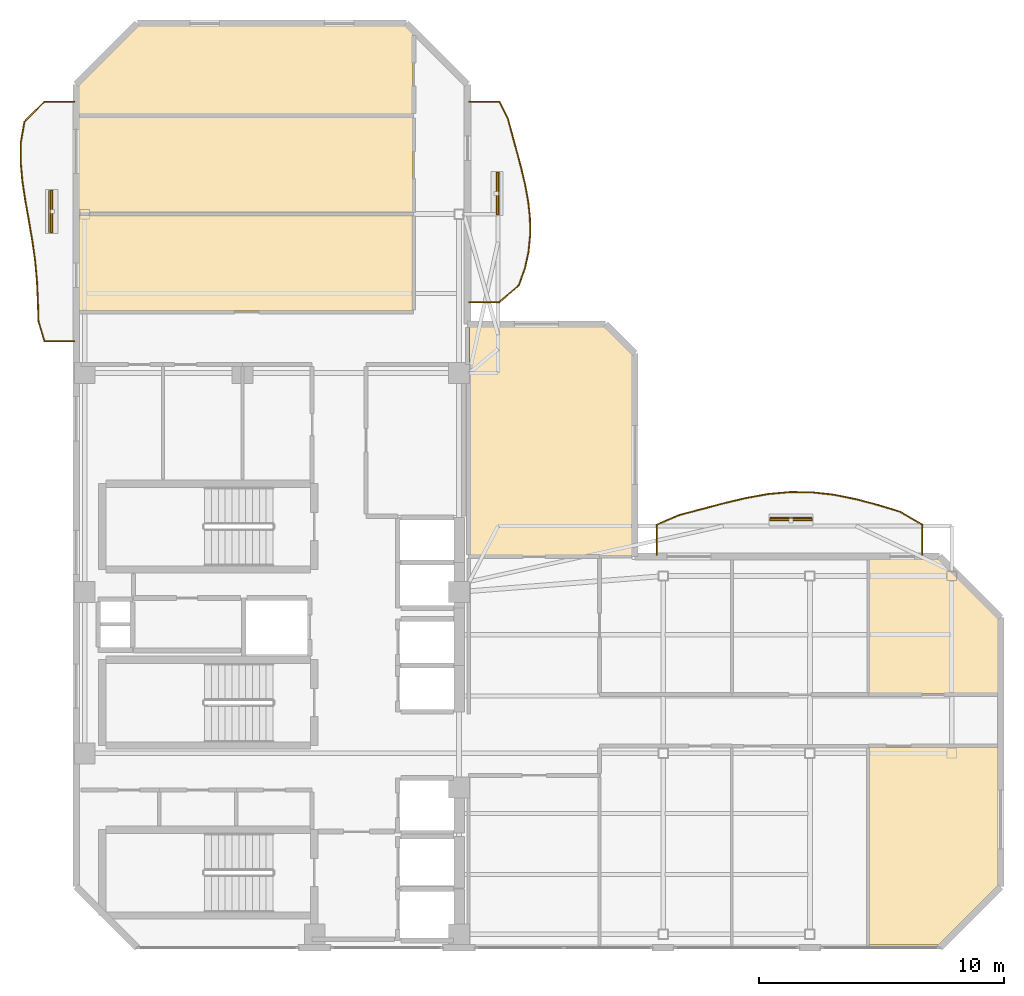
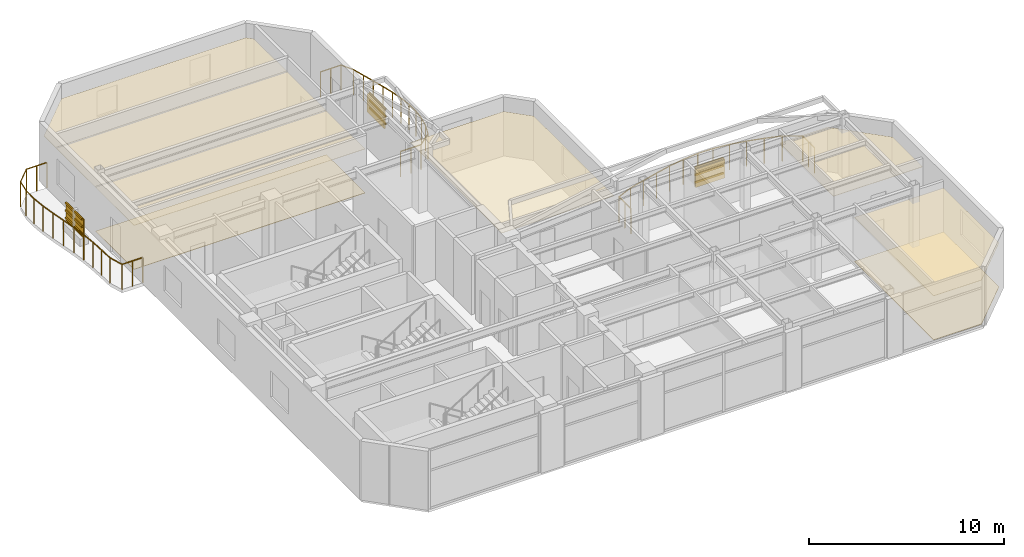
# One storey, part 14 of 14: 12 shading devices, 8 coverings, 3 railings.
"""IFC4 building model written with IfcOpenShell, lengths in metres."""

from ifc_helpers import new_model, si_unit, direction, frame, origin, origin_2d, place, context, subcontext, project, spatial, polyline, rectangle, outline, extrude, material, layer, layer_set, material_profile, profile_set, type_object, element, save


model = new_model("IFC4")

# Units and contexts
model_context = context("Model", 3, precision=1e-05, world=origin(), true_north=direction((0.0, 1.0)))
body_context = subcontext(model_context, "Body", "Model", "MODEL_VIEW")
ifc_project = project(units=[si_unit("LENGTHUNIT", "METRE"), si_unit("AREAUNIT", "SQUARE_METRE"), si_unit("VOLUMEUNIT", "CUBIC_METRE"), si_unit("PLANEANGLEUNIT", "RADIAN"), si_unit("MASSUNIT", "GRAM", prefix="KILO")], contexts=[model_context])

# Site, building, storey
site_placement = place(None, origin())
site = spatial("IfcSite", under=ifc_project, at=site_placement, CompositionType="ELEMENT")
building_placement = place(site_placement, origin())
building = spatial("IfcBuilding", under=site, at=building_placement, Name="Mawjaban Terraces University", CompositionType="ELEMENT")
storey_placement = place(building_placement, frame((0.0, 0.0, 256.0)))
storey = spatial("IfcBuildingStorey", under=building, at=storey_placement, Name="L62", CompositionType="ELEMENT", Elevation=256.0)

# Coverings
ifc_material_1 = material(Name="Acoustic mineral fibre ceiling tile", Category="masonry")
ifc_layer_1 = layer(ifc_material_1, 0.02001953125)
ifc_layer_set_1 = layer_set([ifc_layer_1], Name="Acoustic mineral fibre ceiling tile")
covering_type_1 = type_object("IfcCoveringType", Name="AcousticMineralCeiling_20", PredefinedType="CEILING", material=ifc_layer_set_1)
covering_1_placement = place(storey_placement, frame((0.0, 0.0, 2.75)))
element("IfcCovering", 1, at=covering_1_placement, inside=storey, type_object=covering_type_1, Name="L62 Classroom 6 Acoustic Ceiling", PredefinedType="CEILING", context=body_context, shape_type="SweptSolid", body=[
    extrude(outline(polyline([(54.41796875, 0.114990234375), (57.2529296875, 0.114990234375), (59.68505859375, 2.547119140625), (59.68505859375, 8.219970703125), (54.41796875, 8.219970703125), (54.41796875, 0.114990234375)])), origin(), (0.0, 0.0, 1.0), 0.02001953125),
])
covering_2_placement = place(storey_placement, frame((0.0, 0.0, 2.75)))
element("IfcCovering", 2, at=covering_2_placement, inside=storey, type_object=covering_type_1, Name="L62 Faculty Office 7 Acoustic Ceiling", PredefinedType="CEILING", context=body_context, shape_type="SweptSolid", body=[
    extrude(outline(polyline([(59.68505859375, 10.3798828125), (59.68505859375, 13.452880859375), (57.2529296875, 15.885009765625), (54.41796875, 15.885009765625), (54.41796875, 10.3798828125), (59.68505859375, 10.3798828125)])), origin(), (0.0, 0.0, 1.0), 0.02001953125),
])
covering_3_placement = place(storey_placement, frame((0.0, 0.0, 2.75)))
element("IfcCovering", 3, at=covering_3_placement, inside=storey, type_object=covering_type_1, Name="L62 Classroom 8 Acoustic Ceiling", PredefinedType="CEILING", context=body_context, shape_type="SweptSolid", body=[
    extrude(outline(polyline([(22.114990234375, 29.969970703125), (22.114990234375, 26.030029296875), (35.77001953125, 26.030029296875), (35.77001953125, 29.969970703125), (22.114990234375, 29.969970703125)])), origin(), (0.0, 0.0, 1.0), 0.02001953125),
])
covering_4_placement = place(storey_placement, frame((0.0, 0.0, 2.75)))
element("IfcCovering", 4, at=covering_4_placement, inside=storey, type_object=covering_type_1, Name="L62 Computational Laboratory 9 Acoustic Ceiling", PredefinedType="CEILING", context=body_context, shape_type="SweptSolid", body=[
    extrude(outline(polyline([(22.114990234375, 33.993896484375), (22.114990234375, 30.030029296875), (35.77001953125, 30.030029296875), (35.77001953125, 33.993896484375), (22.114990234375, 33.993896484375)])), origin(), (0.0, 0.0, 1.0), 0.02001953125),
])
covering_5_placement = place(storey_placement, frame((0.0, 0.0, 2.75)))
element("IfcCovering", 5, at=covering_5_placement, inside=storey, type_object=covering_type_1, Name="L62 Design Studio 10 Acoustic Ceiling", PredefinedType="CEILING", context=body_context, shape_type="SweptSolid", body=[
    extrude(outline(polyline([(35.77001953125, 37.367919921875), (35.452880859375, 37.68505859375), (24.547119140625, 37.68505859375), (22.114990234375, 35.2529296875), (22.114990234375, 34.053955078125), (35.77001953125, 34.053955078125), (35.77001953125, 37.367919921875)])), origin(), (0.0, 0.0, 1.0), 0.02001953125),
])
covering_6_placement = place(storey_placement, frame((0.0, 0.0, 2.75)))
element("IfcCovering", 6, at=covering_6_placement, inside=storey, type_object=covering_type_1, Name="L62 Terrace Collaborative Study Room Acoustic Ceiling", PredefinedType="CEILING", context=body_context, shape_type="SweptSolid", body=[
    extrude(outline(polyline([(44.72509765625, 16.030029296875), (44.72509765625, 24.2529296875), (43.593017578125, 25.385009765625), (38.080078125, 25.385009765625), (38.080078125, 16.030029296875), (44.72509765625, 16.030029296875)])), origin(), (0.0, 0.0, 1.0), 0.02001953125),
])

# Railings
ifc_material_2 = material(Name="Galvanised powder-coated steel S355", Category="steel")
railing_type = type_object("IfcRailingType", Name="BalconyBalustrade_1600", PredefinedType="BALUSTRADE", material=ifc_material_2)
railing_1_placement = place(storey_placement, frame((21.919921875, 24.800048828125, 0.0)))
element("IfcRailing", 7, at=railing_1_placement, inside=storey, type_object=railing_type, Name="L62 Balcony Guardrail west", PredefinedType="BALUSTRADE", context=body_context, shape_type="SweptSolid", body=[
    extrude(rectangle(XDim=0.048095703125, YDim=0.048095703125, at=origin_2d()), frame((0.0, 0.0, 1.576171875), z_axis=(-1.0, 0.0, 0.0), x_axis=(0.0, -1.0, 0.0)), (0.0, 0.0, 1.0), 1.219970703125),
    extrude(rectangle(XDim=0.048095703125, YDim=0.048095703125, at=origin_2d()), frame((-1.219970703125, 0.0, 1.576171875), z_axis=(-0.286086544762, 0.958203782557, 0.0), x_axis=(-0.958203782557, -0.286086544762, 0.0)), (0.0, 0.0, 1.0), 0.8525390625),
    extrude(rectangle(XDim=0.048095703125, YDim=0.048095703125, at=origin_2d()), frame((-1.4638671875, 0.81689453125, 1.576171875), z_axis=(-0.030796035307, 0.99952568962, 0.0), x_axis=(-0.99952568962, -0.030796035307, 0.0)), (0.0, 0.0, 1.0), 0.816650390625),
    extrude(rectangle(XDim=0.048095703125, YDim=0.048095703125, at=origin_2d()), frame((-1.489013671875, 1.633056640625, 1.576171875), z_axis=(-0.045082627759, 0.998983261459, 0.0), x_axis=(-0.998983261459, -0.045082627759, 0.0)), (0.0, 0.0, 1.0), 0.817626953125),
    extrude(rectangle(XDim=0.048095703125, YDim=0.048095703125, at=origin_2d()), frame((-1.52587890625, 2.449951171875, 1.576171875), z_axis=(-0.089005768693, 0.996031110528, 0.0), x_axis=(-0.996031110528, -0.089005768693, 0.0)), (0.0, 0.0, 1.0), 0.820068359375),
    extrude(rectangle(XDim=0.048095703125, YDim=0.048095703125, at=origin_2d()), frame((-1.598876953125, 3.266845703125, 1.576171875), z_axis=(-0.137188840592, 0.990544911661, 0.0), x_axis=(-0.990544911661, -0.137188840592, 0.0)), (0.0, 0.0, 1.0), 0.823974609375),
    extrude(rectangle(XDim=0.048095703125, YDim=0.048095703125, at=origin_2d()), frame((-1.7119140625, 4.0830078125, 1.576171875), z_axis=(-0.168792112751, 0.985651674109, 0.0), x_axis=(-0.985651674109, -0.168792112751, 0.0)), (0.0, 0.0, 1.0), 0.828857421875),
    extrude(rectangle(XDim=0.048095703125, YDim=0.048095703125, at=origin_2d()), frame((-1.851806640625, 4.89990234375, 1.576171875), z_axis=(-0.175882254045, 0.984411211188, 0.0), x_axis=(-0.984411211188, -0.175882254045, 0.0)), (0.0, 0.0, 1.0), 0.830078125),
    extrude(rectangle(XDim=0.048095703125, YDim=0.048095703125, at=origin_2d()), frame((-1.997802734375, 5.717041015625, 1.576171875), z_axis=(-0.150278574394, 0.988643692175, 0.0), x_axis=(-0.988643692175, -0.150278574394, 0.0)), (0.0, 0.0, 1.0), 0.8251953125),
    extrude(rectangle(XDim=0.048095703125, YDim=0.048095703125, at=origin_2d()), frame((-2.121826171875, 6.532958984375, 1.576171875), z_axis=(-0.087824301942, 0.996135980672, 0.0), x_axis=(-0.996135980672, -0.087824301942, 0.0)), (0.0, 0.0, 1.0), 0.820068359375),
    extrude(rectangle(XDim=0.048095703125, YDim=0.048095703125, at=origin_2d()), frame((-2.19384765625, 7.349853515625, 1.576171875), z_axis=(0.015833091241, 0.999874648754, 0.0), x_axis=(-0.999874648754, 0.015833091241, 0.0)), (0.0, 0.0, 1.0), 0.817138671875),
    extrude(rectangle(XDim=0.048095703125, YDim=0.048095703125, at=origin_2d()), frame((-2.180908203125, 8.1669921875, 1.576171875), z_axis=(0.174995257373, 0.984569276332, 0.0), x_axis=(-0.984569276332, 0.174995257373, 0.0)), (0.0, 0.0, 1.0), 0.82861328125),
    extrude(rectangle(XDim=0.048095703125, YDim=0.048095703125, at=origin_2d()), frame((-2.035888671875, 8.98291015625, 1.576171875), z_axis=(0.706578024374, 0.707635142903, 0.0), x_axis=(-0.707635142903, 0.706578024374, 0.0)), (0.0, 0.0, 1.0), 1.15478515625),
    extrude(rectangle(XDim=0.048095703125, YDim=0.048095703125, at=origin_2d()), frame((-1.219970703125, 9.800048828125, 1.576171875), z_axis=(1.0, 0.0, 0.0), x_axis=(0.0, 1.0, 0.0)), (0.0, 0.0, 1.0), 1.219970703125),
    extrude(rectangle(XDim=0.0419921875, YDim=0.0419921875, at=origin_2d()), origin(), (0.0, 0.0, 1.0), 1.552001953125),
    extrude(rectangle(XDim=0.0419921875, YDim=0.0419921875, at=origin_2d()), frame((-0.60986328125, 0.0, 0.0)), (0.0, 0.0, 1.0), 1.552001953125),
    extrude(rectangle(XDim=0.0419921875, YDim=0.0419921875, at=origin_2d()), frame((-1.219970703125, 0.0, 0.0)), (0.0, 0.0, 1.0), 1.552001953125),
    extrude(rectangle(XDim=0.0419921875, YDim=0.0419921875, at=origin_2d()), frame((-1.4638671875, 0.81689453125, 0.0)), (0.0, 0.0, 1.0), 1.552001953125),
    extrude(rectangle(XDim=0.0419921875, YDim=0.0419921875, at=origin_2d()), frame((-1.489013671875, 1.633056640625, 0.0)), (0.0, 0.0, 1.0), 1.552001953125),
    extrude(rectangle(XDim=0.0419921875, YDim=0.0419921875, at=origin_2d()), frame((-1.52587890625, 2.449951171875, 0.0)), (0.0, 0.0, 1.0), 1.552001953125),
    extrude(rectangle(XDim=0.0419921875, YDim=0.0419921875, at=origin_2d()), frame((-1.598876953125, 3.266845703125, 0.0)), (0.0, 0.0, 1.0), 1.552001953125),
    extrude(rectangle(XDim=0.0419921875, YDim=0.0419921875, at=origin_2d()), frame((-1.7119140625, 4.0830078125, 0.0)), (0.0, 0.0, 1.0), 1.552001953125),
    extrude(rectangle(XDim=0.0419921875, YDim=0.0419921875, at=origin_2d()), frame((-1.851806640625, 4.89990234375, 0.0)), (0.0, 0.0, 1.0), 1.552001953125),
    extrude(rectangle(XDim=0.0419921875, YDim=0.0419921875, at=origin_2d()), frame((-1.997802734375, 5.717041015625, 0.0)), (0.0, 0.0, 1.0), 1.552001953125),
    extrude(rectangle(XDim=0.0419921875, YDim=0.0419921875, at=origin_2d()), frame((-2.121826171875, 6.532958984375, 0.0)), (0.0, 0.0, 1.0), 1.552001953125),
    extrude(rectangle(XDim=0.0419921875, YDim=0.0419921875, at=origin_2d()), frame((-2.19384765625, 7.349853515625, 0.0)), (0.0, 0.0, 1.0), 1.552001953125),
    extrude(rectangle(XDim=0.0419921875, YDim=0.0419921875, at=origin_2d()), frame((-2.180908203125, 8.1669921875, 0.0)), (0.0, 0.0, 1.0), 1.552001953125),
    extrude(rectangle(XDim=0.0419921875, YDim=0.0419921875, at=origin_2d()), frame((-2.035888671875, 8.98291015625, 0.0)), (0.0, 0.0, 1.0), 1.552001953125),
    extrude(rectangle(XDim=0.0419921875, YDim=0.0419921875, at=origin_2d()), frame((-1.219970703125, 9.800048828125, 0.0)), (0.0, 0.0, 1.0), 1.552001953125),
    extrude(rectangle(XDim=0.0419921875, YDim=0.0419921875, at=origin_2d()), frame((-0.60986328125, 9.800048828125, 0.0)), (0.0, 0.0, 1.0), 1.552001953125),
    extrude(rectangle(XDim=0.0419921875, YDim=0.0419921875, at=origin_2d()), frame((0.0, 9.800048828125, 0.0)), (0.0, 0.0, 1.0), 1.552001953125),
])
railing_2_placement = place(storey_placement, frame((45.739990234375, 16.080078125, 0.0)))
element("IfcRailing", 8, at=railing_2_placement, inside=storey, type_object=railing_type, Name="L62 Balcony Guardrail inner_north", PredefinedType="BALUSTRADE", context=body_context, shape_type="SweptSolid", body=[
    extrude(rectangle(XDim=0.048095703125, YDim=0.048095703125, at=origin_2d()), frame((0.0, 0.0, 1.576171875), z_axis=(0.0, 1.0, 0.0), x_axis=(-1.0, 0.0, 0.0)), (0.0, 0.0, 1.0), 1.219970703125),
    extrude(rectangle(XDim=0.048095703125, YDim=0.048095703125, at=origin_2d()), frame((0.0, 1.219970703125, 1.576171875), z_axis=(0.916865462782, 0.399196346623, 0.0), x_axis=(-0.399196346623, 0.916865462782, 0.0)), (0.0, 0.0, 1.0), 0.987060546875),
    extrude(rectangle(XDim=0.048095703125, YDim=0.048095703125, at=origin_2d()), frame((0.905029296875, 1.614013671875, 1.576171875), z_axis=(0.967172473665, 0.254120849568, 0.0), x_axis=(-0.254120849568, 0.967172473665, 0.0)), (0.0, 0.0, 1.0), 0.935791015625),
    extrude(rectangle(XDim=0.048095703125, YDim=0.048095703125, at=origin_2d()), frame((1.81005859375, 1.851806640625, 1.576171875), z_axis=(0.966528578095, 0.25655897514, 0.0), x_axis=(-0.25655897514, 0.966528578095, 0.0)), (0.0, 0.0, 1.0), 0.936279296875),
    extrude(rectangle(XDim=0.048095703125, YDim=0.048095703125, at=origin_2d()), frame((2.715087890625, 2.092041015625, 1.576171875), z_axis=(0.972724505528, 0.23196343752, 0.0), x_axis=(-0.23196343752, 0.972724505528, 0.0)), (0.0, 0.0, 1.0), 0.930419921875),
    extrude(rectangle(XDim=0.048095703125, YDim=0.048095703125, at=origin_2d()), frame((3.6201171875, 2.307861328125, 1.576171875), z_axis=(0.983954760148, 0.178418132439, 0.0), x_axis=(-0.178418132439, 0.983954760148, 0.0)), (0.0, 0.0, 1.0), 0.91943359375),
    extrude(rectangle(XDim=0.048095703125, YDim=0.048095703125, at=origin_2d()), frame((4.52490234375, 2.471923828125, 1.576171875), z_axis=(0.995622518279, 0.093465507516, 0.0), x_axis=(-0.093465507516, 0.995622518279, 0.0)), (0.0, 0.0, 1.0), 0.908935546875),
    extrude(rectangle(XDim=0.048095703125, YDim=0.048095703125, at=origin_2d()), frame((5.429931640625, 2.556884765625, 1.576171875), z_axis=(0.999960378866, -0.008901724441, 0.0), x_axis=(0.008901724441, 0.999960378866, 0.0)), (0.0, 0.0, 1.0), 0.905029296875),
    extrude(rectangle(XDim=0.048095703125, YDim=0.048095703125, at=origin_2d()), frame((6.3349609375, 2.548828125, 1.576171875), z_axis=(0.99385099585, -0.110725778604, 0.0), x_axis=(0.110725778604, 0.99385099585, 0.0)), (0.0, 0.0, 1.0), 0.91064453125),
    extrude(rectangle(XDim=0.048095703125, YDim=0.048095703125, at=origin_2d()), frame((7.239990234375, 2.447998046875, 1.576171875), z_axis=(0.980346034352, -0.197285713954, 0.0), x_axis=(0.197285713954, 0.980346034352, 0.0)), (0.0, 0.0, 1.0), 0.923095703125),
    extrude(rectangle(XDim=0.048095703125, YDim=0.048095703125, at=origin_2d()), frame((8.14501953125, 2.265869140625, 1.576171875), z_axis=(0.966851187209, -0.255340521251, 0.0), x_axis=(0.255340521251, 0.966851187209, 0.0)), (0.0, 0.0, 1.0), 0.93603515625),
    extrude(rectangle(XDim=0.048095703125, YDim=0.048095703125, at=origin_2d()), frame((9.050048828125, 2.02685546875, 1.576171875), z_axis=(0.956545661828, -0.291582572934, 0.0), x_axis=(0.291582572934, 0.956545661828, 0.0)), (0.0, 0.0, 1.0), 0.946044921875),
    extrude(rectangle(XDim=0.048095703125, YDim=0.048095703125, at=origin_2d()), frame((9.955078125, 1.7509765625, 1.576171875), z_axis=(0.862501887285, -0.506053845386, 0.0), x_axis=(0.506053845386, 0.862501887285, 0.0)), (0.0, 0.0, 1.0), 1.04931640625),
    extrude(rectangle(XDim=0.048095703125, YDim=0.048095703125, at=origin_2d()), frame((10.860107421875, 1.219970703125, 1.576171875), z_axis=(0.0, -1.0, 0.0), x_axis=(1.0, 0.0, 0.0)), (0.0, 0.0, 1.0), 1.219970703125),
    extrude(rectangle(XDim=0.0419921875, YDim=0.0419921875, at=origin_2d()), origin(), (0.0, 0.0, 1.0), 1.552001953125),
    extrude(rectangle(XDim=0.0419921875, YDim=0.0419921875, at=origin_2d()), frame((0.0, 0.60986328125, 0.0)), (0.0, 0.0, 1.0), 1.552001953125),
    extrude(rectangle(XDim=0.0419921875, YDim=0.0419921875, at=origin_2d()), frame((0.0, 1.219970703125, 0.0)), (0.0, 0.0, 1.0), 1.552001953125),
    extrude(rectangle(XDim=0.0419921875, YDim=0.0419921875, at=origin_2d()), frame((0.905029296875, 1.614013671875, 0.0)), (0.0, 0.0, 1.0), 1.552001953125),
    extrude(rectangle(XDim=0.0419921875, YDim=0.0419921875, at=origin_2d()), frame((1.81005859375, 1.851806640625, 0.0)), (0.0, 0.0, 1.0), 1.552001953125),
    extrude(rectangle(XDim=0.0419921875, YDim=0.0419921875, at=origin_2d()), frame((2.715087890625, 2.092041015625, 0.0)), (0.0, 0.0, 1.0), 1.552001953125),
    extrude(rectangle(XDim=0.0419921875, YDim=0.0419921875, at=origin_2d()), frame((3.6201171875, 2.307861328125, 0.0)), (0.0, 0.0, 1.0), 1.552001953125),
    extrude(rectangle(XDim=0.0419921875, YDim=0.0419921875, at=origin_2d()), frame((4.52490234375, 2.471923828125, 0.0)), (0.0, 0.0, 1.0), 1.552001953125),
    extrude(rectangle(XDim=0.0419921875, YDim=0.0419921875, at=origin_2d()), frame((5.429931640625, 2.556884765625, 0.0)), (0.0, 0.0, 1.0), 1.552001953125),
    extrude(rectangle(XDim=0.0419921875, YDim=0.0419921875, at=origin_2d()), frame((6.3349609375, 2.548828125, 0.0)), (0.0, 0.0, 1.0), 1.552001953125),
    extrude(rectangle(XDim=0.0419921875, YDim=0.0419921875, at=origin_2d()), frame((7.239990234375, 2.447998046875, 0.0)), (0.0, 0.0, 1.0), 1.552001953125),
    extrude(rectangle(XDim=0.0419921875, YDim=0.0419921875, at=origin_2d()), frame((8.14501953125, 2.265869140625, 0.0)), (0.0, 0.0, 1.0), 1.552001953125),
    extrude(rectangle(XDim=0.0419921875, YDim=0.0419921875, at=origin_2d()), frame((9.050048828125, 2.02685546875, 0.0)), (0.0, 0.0, 1.0), 1.552001953125),
    extrude(rectangle(XDim=0.0419921875, YDim=0.0419921875, at=origin_2d()), frame((9.955078125, 1.7509765625, 0.0)), (0.0, 0.0, 1.0), 1.552001953125),
    extrude(rectangle(XDim=0.0419921875, YDim=0.0419921875, at=origin_2d()), frame((10.860107421875, 1.219970703125, 0.0)), (0.0, 0.0, 1.0), 1.552001953125),
    extrude(rectangle(XDim=0.0419921875, YDim=0.0419921875, at=origin_2d()), frame((10.860107421875, 0.60986328125, 0.0)), (0.0, 0.0, 1.0), 1.552001953125),
    extrude(rectangle(XDim=0.0419921875, YDim=0.0419921875, at=origin_2d()), frame((10.860107421875, 0.0, 0.0)), (0.0, 0.0, 1.0), 1.552001953125),
])
railing_3_placement = place(storey_placement, frame((38.080078125, 26.39990234375, 0.0)))
element("IfcRailing", 9, at=railing_3_placement, inside=storey, type_object=railing_type, Name="L62 Balcony Guardrail inner_east", PredefinedType="BALUSTRADE", context=body_context, shape_type="SweptSolid", body=[
    extrude(rectangle(XDim=0.048095703125, YDim=0.048095703125, at=origin_2d()), frame((0.0, 0.0, 1.576171875), z_axis=(1.0, 0.0, 0.0), x_axis=(0.0, 1.0, 0.0)), (0.0, 0.0, 1.0), 1.219970703125),
    extrude(rectangle(XDim=0.048095703125, YDim=0.048095703125, at=origin_2d()), frame((1.219970703125, 0.0, 1.576171875), z_axis=(0.760500211472, 0.649337684376, 0.0), x_axis=(-0.649337684376, 0.760500211472, 0.0)), (0.0, 0.0, 1.0), 1.052001953125),
    extrude(rectangle(XDim=0.048095703125, YDim=0.048095703125, at=origin_2d()), frame((2.02001953125, 0.68310546875, 1.576171875), z_axis=(0.339396970408, 0.940643235493, 0.0), x_axis=(-0.940643235493, 0.339396970408, 0.0)), (0.0, 0.0, 1.0), 0.727294921875),
    extrude(rectangle(XDim=0.048095703125, YDim=0.048095703125, at=origin_2d()), frame((2.266845703125, 1.3671875, 1.576171875), z_axis=(0.213415615757, 0.976961501264, 0.0), x_axis=(-0.976961501264, 0.213415615757, 0.0)), (0.0, 0.0, 1.0), 0.698974609375),
    extrude(rectangle(XDim=0.048095703125, YDim=0.048095703125, at=origin_2d()), frame((2.416015625, 2.050048828125, 1.576171875), z_axis=(0.098869872456, 0.995100370978, 0.0), x_axis=(-0.995100370978, 0.098869872456, 0.0)), (0.0, 0.0, 1.0), 0.6865234375),
    extrude(rectangle(XDim=0.048095703125, YDim=0.048095703125, at=origin_2d()), frame((2.48388671875, 2.733154296875, 1.576171875), z_axis=(-0.008568053925, 0.999963293552, 0.0), x_axis=(-0.999963293552, -0.008568053925, 0.0)), (0.0, 0.0, 1.0), 0.683837890625),
    extrude(rectangle(XDim=0.048095703125, YDim=0.048095703125, at=origin_2d()), frame((2.47802734375, 3.4169921875, 1.576171875), z_axis=(-0.103444903127, 0.994635185391, 0.0), x_axis=(-0.994635185391, -0.103444903127, 0.0)), (0.0, 0.0, 1.0), 0.686767578125),
    extrude(rectangle(XDim=0.048095703125, YDim=0.048095703125, at=origin_2d()), frame((2.406982421875, 4.10009765625, 1.576171875), z_axis=(-0.177275648492, 0.984161239052, 0.0), x_axis=(-0.984161239052, -0.177275648492, 0.0)), (0.0, 0.0, 1.0), 0.694091796875),
    extrude(rectangle(XDim=0.048095703125, YDim=0.048095703125, at=origin_2d()), frame((2.283935546875, 4.783203125, 1.576171875), z_axis=(-0.230665472106, 0.973033113506, 0.0), x_axis=(-0.973033113506, -0.230665472106, 0.0)), (0.0, 0.0, 1.0), 0.702880859375),
    extrude(rectangle(XDim=0.048095703125, YDim=0.048095703125, at=origin_2d()), frame((2.121826171875, 5.467041015625, 1.576171875), z_axis=(-0.256006510883, 0.966675057289, 0.0), x_axis=(-0.966675057289, -0.256006510883, 0.0)), (0.0, 0.0, 1.0), 0.70654296875),
    extrude(rectangle(XDim=0.048095703125, YDim=0.048095703125, at=origin_2d()), frame((1.94091796875, 6.150146484375, 1.576171875), z_axis=(-0.264138480669, 0.964484765577, 0.0), x_axis=(-0.964484765577, -0.264138480669, 0.0)), (0.0, 0.0, 1.0), 0.7080078125),
    extrude(rectangle(XDim=0.048095703125, YDim=0.048095703125, at=origin_2d()), frame((1.75390625, 6.8330078125, 1.576171875), z_axis=(-0.261134622918, 0.965302392369, 0.0), x_axis=(-0.965302392369, -0.261134622918, 0.0)), (0.0, 0.0, 1.0), 0.708740234375),
    extrude(rectangle(XDim=0.048095703125, YDim=0.048095703125, at=origin_2d()), frame((1.56884765625, 7.51708984375, 1.576171875), z_axis=(-0.454836242036, 0.890575091124, 0.0), x_axis=(-0.890575091124, -0.454836242036, 0.0)), (0.0, 0.0, 1.0), 0.76708984375),
    extrude(rectangle(XDim=0.048095703125, YDim=0.048095703125, at=origin_2d()), frame((1.219970703125, 8.2001953125, 1.576171875), z_axis=(-1.0, 0.0, 0.0), x_axis=(0.0, -1.0, 0.0)), (0.0, 0.0, 1.0), 1.219970703125),
    extrude(rectangle(XDim=0.0419921875, YDim=0.0419921875, at=origin_2d()), origin(), (0.0, 0.0, 1.0), 1.552001953125),
    extrude(rectangle(XDim=0.0419921875, YDim=0.0419921875, at=origin_2d()), frame((0.60986328125, 0.0, 0.0)), (0.0, 0.0, 1.0), 1.552001953125),
    extrude(rectangle(XDim=0.0419921875, YDim=0.0419921875, at=origin_2d()), frame((1.219970703125, 0.0, 0.0)), (0.0, 0.0, 1.0), 1.552001953125),
    extrude(rectangle(XDim=0.0419921875, YDim=0.0419921875, at=origin_2d()), frame((2.02001953125, 0.68310546875, 0.0)), (0.0, 0.0, 1.0), 1.552001953125),
    extrude(rectangle(XDim=0.0419921875, YDim=0.0419921875, at=origin_2d()), frame((2.266845703125, 1.3671875, 0.0)), (0.0, 0.0, 1.0), 1.552001953125),
    extrude(rectangle(XDim=0.0419921875, YDim=0.0419921875, at=origin_2d()), frame((2.416015625, 2.050048828125, 0.0)), (0.0, 0.0, 1.0), 1.552001953125),
    extrude(rectangle(XDim=0.0419921875, YDim=0.0419921875, at=origin_2d()), frame((2.48388671875, 2.733154296875, 0.0)), (0.0, 0.0, 1.0), 1.552001953125),
    extrude(rectangle(XDim=0.0419921875, YDim=0.0419921875, at=origin_2d()), frame((2.47802734375, 3.4169921875, 0.0)), (0.0, 0.0, 1.0), 1.552001953125),
    extrude(rectangle(XDim=0.0419921875, YDim=0.0419921875, at=origin_2d()), frame((2.406982421875, 4.10009765625, 0.0)), (0.0, 0.0, 1.0), 1.552001953125),
    extrude(rectangle(XDim=0.0419921875, YDim=0.0419921875, at=origin_2d()), frame((2.283935546875, 4.783203125, 0.0)), (0.0, 0.0, 1.0), 1.552001953125),
    extrude(rectangle(XDim=0.0419921875, YDim=0.0419921875, at=origin_2d()), frame((2.121826171875, 5.467041015625, 0.0)), (0.0, 0.0, 1.0), 1.552001953125),
    extrude(rectangle(XDim=0.0419921875, YDim=0.0419921875, at=origin_2d()), frame((1.94091796875, 6.150146484375, 0.0)), (0.0, 0.0, 1.0), 1.552001953125),
    extrude(rectangle(XDim=0.0419921875, YDim=0.0419921875, at=origin_2d()), frame((1.75390625, 6.8330078125, 0.0)), (0.0, 0.0, 1.0), 1.552001953125),
    extrude(rectangle(XDim=0.0419921875, YDim=0.0419921875, at=origin_2d()), frame((1.56884765625, 7.51708984375, 0.0)), (0.0, 0.0, 1.0), 1.552001953125),
    extrude(rectangle(XDim=0.0419921875, YDim=0.0419921875, at=origin_2d()), frame((1.219970703125, 8.2001953125, 0.0)), (0.0, 0.0, 1.0), 1.552001953125),
    extrude(rectangle(XDim=0.0419921875, YDim=0.0419921875, at=origin_2d()), frame((0.60986328125, 8.2001953125, 0.0)), (0.0, 0.0, 1.0), 1.552001953125),
    extrude(rectangle(XDim=0.0419921875, YDim=0.0419921875, at=origin_2d()), frame((0.0, 8.2001953125, 0.0)), (0.0, 0.0, 1.0), 1.552001953125),
])

# Shading devices
ifc_material_3 = material(Name="Glazed architectural terracotta ceramic", Category="masonry")
ifc_material_profile = material_profile(ifc_material_3, rectangle(XDim=0.06494140625, YDim=0.110107421875, at=origin_2d()), Name="TBAG110X65")
ifc_profile_set = profile_set([ifc_material_profile], Name="Glazed architectural terracotta ceramic")
shading_device_type_1 = type_object("IfcShadingDeviceType", Name="TerracottaBaguette_110x65", PredefinedType="USERDEFINED", material=ifc_profile_set)
for number, where, z_axis, x_axis, name in (
    (10, (20.91796875, 29.258056640625, 0.679931640625), (0.0, 1.0, 0.0), (-1.0, 0.0, 0.0), "L62 Horizontal Terracotta Baguette west.1"),
    (11, (20.91796875, 29.258056640625, 1.14990234375), (0.0, 1.0, 0.0), (-1.0, 0.0, 0.0), "L62 Horizontal Terracotta Baguette west.2"),
    (12, (20.91796875, 29.258056640625, 1.6201171875), (0.0, 1.0, 0.0), (-1.0, 0.0, 0.0), "L62 Horizontal Terracotta Baguette west.3"),
    (13, (50.3779296875, 17.58203125, 0.679931640625), (1.0, 0.0, 0.0), (0.0, 1.0, 0.0), "L62 Horizontal Terracotta Baguette inner_north.1"),
    (14, (50.3779296875, 17.58203125, 1.14990234375), (1.0, 0.0, 0.0), (0.0, 1.0, 0.0), "L62 Horizontal Terracotta Baguette inner_north.2"),
    (15, (50.3779296875, 17.58203125, 1.6201171875), (1.0, 0.0, 0.0), (0.0, 1.0, 0.0), "L62 Horizontal Terracotta Baguette inner_north.3"),
    (16, (39.29296875, 29.990966796875, 0.679931640625), (0.0, 1.0, 0.0), (-1.0, 0.0, 0.0), "L62 Horizontal Terracotta Baguette inner_east.1"),
    (17, (39.29296875, 29.990966796875, 1.14990234375), (0.0, 1.0, 0.0), (-1.0, 0.0, 0.0), "L62 Horizontal Terracotta Baguette inner_east.2"),
    (18, (39.29296875, 29.990966796875, 1.6201171875), (0.0, 1.0, 0.0), (-1.0, 0.0, 0.0), "L62 Horizontal Terracotta Baguette inner_east.3"),
):
    element("IfcShadingDevice", number, at=place(storey_placement, frame(where, z_axis=z_axis, x_axis=x_axis)), inside=storey, type_object=shading_device_type_1, Name=name, ObjectType="BAGUETTE", PredefinedType="USERDEFINED", context=body_context, shape_type="SweptSolid", body=[
        extrude(rectangle(XDim=0.06494140625, YDim=0.110107421875, at=origin_2d()), origin(), (0.0, 0.0, 1.0), 1.699951171875),
    ])
ifc_layer_2 = layer(ifc_material_3, 0.080078125)
ifc_layer_set_2 = layer_set([ifc_layer_2], Name="Glazed architectural terracotta ceramic")
shading_device_type_2 = type_object("IfcShadingDeviceType", Name="TerracottaScreen_Perforated", PredefinedType="USERDEFINED", material=ifc_layer_set_2)
for number, where, z_axis, x_axis, name in (
    (19, (21.0029296875, 30.10791015625, 0.43994140625), (0.0, 0.0, 1.0), (0.0, 1.0, 0.0), "L62 Balcony Perforated Terracotta Screen west"),
    (20, (51.22802734375, 17.4970703125, 0.43994140625), (0.0, 0.0, 1.0), (1.0, 0.0, 0.0), "L62 Balcony Perforated Terracotta Screen inner_north"),
    (21, (39.2080078125, 30.841064453125, 0.43994140625), (0.0, 0.0, 1.0), (0.0, 1.0, 0.0), "L62 Balcony Perforated Terracotta Screen inner_east"),
):
    element("IfcShadingDevice", number, at=place(storey_placement, frame(where, z_axis=z_axis, x_axis=x_axis)), inside=storey, type_object=shading_device_type_2, Name=name, ObjectType="SCREEN", PredefinedType="USERDEFINED", context=body_context, shape_type="SweptSolid", body=[
        extrude(rectangle(XDim=1.75, YDim=0.080078125, at=origin_2d()), origin(), (0.0, 0.0, 1.0), 1.14990234375),
    ])

# Coverings
ifc_material_4 = material(Name="Polished Hijazi granite terrazzo flooring", Category="masonry")
ifc_layer_3 = layer(ifc_material_4, 0.02490234375)
ifc_layer_set_3 = layer_set([ifc_layer_3], Name="Polished Hijazi granite terrazzo flooring")
covering_type_2 = type_object("IfcCoveringType", Name="TerrazzoConcourseFlooring_25", PredefinedType="FLOORING", material=ifc_layer_set_3)
covering_7_placement = place(storey_placement, origin())
element("IfcCovering", 22, at=covering_7_placement, inside=storey, type_object=covering_type_2, Name="L62 Classroom 6 Terrazzo Flooring", PredefinedType="FLOORING", context=body_context, shape_type="SweptSolid", body=[
    extrude(outline(polyline([(54.41796875, 0.114990234375), (57.2529296875, 0.114990234375), (59.68505859375, 2.547119140625), (59.68505859375, 8.219970703125), (54.41796875, 8.219970703125), (54.41796875, 0.114990234375)])), origin(), (0.0, 0.0, 1.0), 0.02490234375),
])
covering_8_placement = place(storey_placement, origin())
element("IfcCovering", 23, at=covering_8_placement, inside=storey, type_object=covering_type_2, Name="L62 Classroom 8 Terrazzo Flooring", PredefinedType="FLOORING", context=body_context, shape_type="SweptSolid", body=[
    extrude(outline(polyline([(22.114990234375, 29.969970703125), (22.114990234375, 26.030029296875), (35.77001953125, 26.030029296875), (35.77001953125, 29.969970703125), (22.114990234375, 29.969970703125)])), origin(), (0.0, 0.0, 1.0), 0.02490234375),
])

save(model, "model.ifc")
